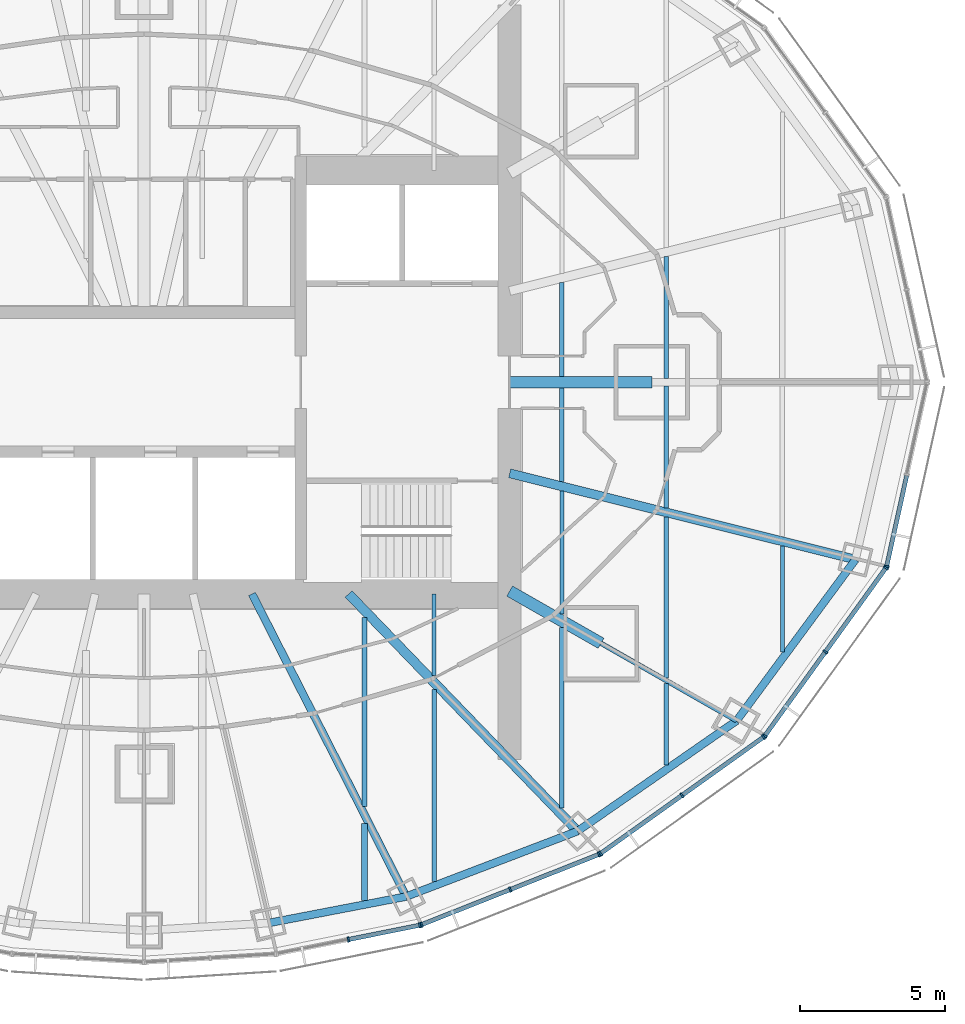
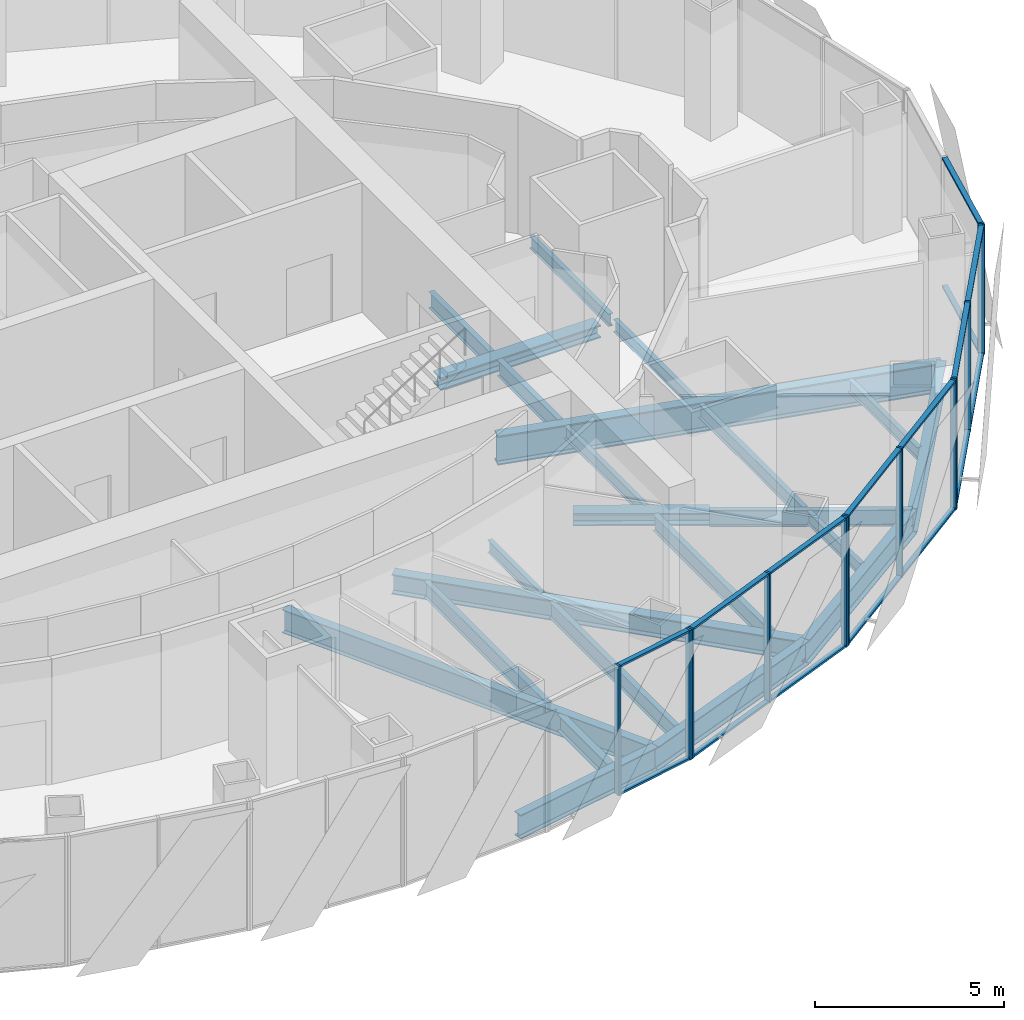
# One storey, part 6 of 17: 28 members, 23 beams, 5 elements without a shape of their own.
"""IFC4 building model written with IfcOpenShell, lengths in metres."""

from ifc_helpers import new_model, si_unit, direction, frame, origin, origin_2d, place, context, subcontext, project, spatial, rectangle, i_section, extrude, material, material_profile, profile_set, type_object, element, aggregate, save


model = new_model("IFC4")

# Units and contexts
model_context = context("Model", 3, precision=1e-05, world=origin(), true_north=direction((0.0, 1.0)))
body_context = subcontext(model_context, "Body", "Model", "MODEL_VIEW")
ifc_project = project(units=[si_unit("LENGTHUNIT", "METRE"), si_unit("AREAUNIT", "SQUARE_METRE"), si_unit("VOLUMEUNIT", "CUBIC_METRE"), si_unit("PLANEANGLEUNIT", "RADIAN"), si_unit("MASSUNIT", "GRAM", prefix="KILO")], contexts=[model_context])

# Site, building, storey
site_placement = place(None, origin())
site = spatial("IfcSite", under=ifc_project, at=site_placement, CompositionType="ELEMENT")
building_placement = place(site_placement, origin())
building = spatial("IfcBuilding", under=site, at=building_placement, Name="Lantaw Convention Tower", CompositionType="ELEMENT")
storey_placement = place(building_placement, frame((0.0, 0.0, 224.199951171875)))
storey = spatial("IfcBuildingStorey", under=building, at=storey_placement, Name="L52", CompositionType="ELEMENT", Elevation=224.199951171875)

# Beams
ifc_material_1 = material(Name="Steel ASTM A992", Category="steel")
ifc_material_profile_1 = material_profile(ifc_material_1, i_section(OverallWidth=0.2666015625, OverallDepth=0.76953125, WebThickness=0.015625, FlangeThickness=0.025390625, FilletRadius=0.0126953125, at=origin_2d()), Name="W30X132")
ifc_profile_set_1 = profile_set([ifc_material_profile_1], Name="Steel ASTM A992")
beam_type_1 = type_object("IfcBeamType", Name="Beam E W30X132", PredefinedType="SPANDREL", material=ifc_profile_set_1)
beam_1_placement = place(storey_placement, frame((4.303955078125, -18.64208984375, -0.53466796875), z_axis=(0.981972091702, 0.189025953556, 0.0), x_axis=(-0.189025953556, 0.981972091702, 0.0)))
element("IfcBeam", 1, at=beam_1_placement, inside=storey, type_object=beam_type_1, Name="Edge beam 20", PredefinedType="SPANDREL", context=body_context, shape_type="SweptSolid", body=[
    extrude(i_section(OverallWidth=0.2666015625, OverallDepth=0.76953125, WebThickness=0.015625, FlangeThickness=0.025390625, FilletRadius=0.0126953125, at=origin_2d()), origin(), (0.0, 0.0, 1.0), 4.817626953125),
])
beam_2_placement = place(storey_placement, frame((9.03466796875, -17.7314453125, -0.53466796875), z_axis=(0.934234988, 0.356658081637, 0.0), x_axis=(-0.356658081637, 0.934234988, 0.0)))
element("IfcBeam", 2, at=beam_2_placement, inside=storey, type_object=beam_type_1, Name="Edge beam 21", PredefinedType="SPANDREL", context=body_context, shape_type="SweptSolid", body=[
    extrude(i_section(OverallWidth=0.2666015625, OverallDepth=0.76953125, WebThickness=0.015625, FlangeThickness=0.025390625, FilletRadius=0.0126953125, at=origin_2d()), origin(), (0.0, 0.0, 1.0), 6.32568359375),
])
beam_3_placement = place(storey_placement, frame((14.9443359375, -15.475341796875, -0.53466796875), z_axis=(0.82135329406, 0.570419815869, 0.0), x_axis=(-0.570419815869, 0.82135329406, 0.0)))
element("IfcBeam", 3, at=beam_3_placement, inside=storey, type_object=beam_type_1, Name="Edge beam 22", PredefinedType="SPANDREL", context=body_context, shape_type="SweptSolid", body=[
    extrude(i_section(OverallWidth=0.2666015625, OverallDepth=0.76953125, WebThickness=0.015625, FlangeThickness=0.025390625, FilletRadius=0.0126953125, at=origin_2d()), origin(), (0.0, 0.0, 1.0), 6.67041015625),
])
beam_4_placement = place(storey_placement, frame((20.423095703125, -11.67041015625, -0.53466796875), z_axis=(0.593639188853, 0.804731329984, 0.0), x_axis=(-0.804731329984, 0.593639188853, 0.0)))
element("IfcBeam", 4, at=beam_4_placement, inside=storey, type_object=beam_type_1, Name="Edge beam 23", PredefinedType="SPANDREL", context=body_context, shape_type="SweptSolid", body=[
    extrude(i_section(OverallWidth=0.2666015625, OverallDepth=0.76953125, WebThickness=0.015625, FlangeThickness=0.025390625, FilletRadius=0.0126953125, at=origin_2d()), origin(), (0.0, 0.0, 1.0), 6.904541015625),
])
ifc_material_profile_2 = material_profile(ifc_material_1, i_section(OverallWidth=0.165771484375, OverallDepth=0.5283203125, WebThickness=0.009765625, FlangeThickness=0.013671875, FilletRadius=0.012939453125, at=origin_2d()), Name="W21X50")
ifc_profile_set_2 = profile_set([ifc_material_profile_2], Name="Steel ASTM A992")
beam_type_2 = type_object("IfcBeamType", Name="Beam G W21X50", PredefinedType="BEAM", material=ifc_profile_set_2)
beam_5_placement = place(storey_placement, frame((15.75, -9.0, -0.4140625), z_axis=(0.868237559289, -0.496148708192, 0.0), x_axis=(0.496148708192, 0.868237559289, 0.0)))
element("IfcBeam", 5, at=beam_5_placement, inside=storey, type_object=beam_type_2, Name="Floor girder on ray 23", PredefinedType="BEAM", context=body_context, shape_type="SweptSolid", body=[
    extrude(i_section(OverallWidth=0.165771484375, OverallDepth=0.5283203125, WebThickness=0.009765625, FlangeThickness=0.013671875, FilletRadius=0.012939453125, at=origin_2d()), origin(), (0.0, 0.0, 1.0), 5.38232421875),
])
ifc_material_profile_3 = material_profile(ifc_material_1, i_section(OverallWidth=0.32763671875, OverallDepth=0.64013671875, WebThickness=0.01904296875, FlangeThickness=0.033935546875, FilletRadius=0.0126953125, at=origin_2d()), Name="W24X176")
ifc_profile_set_3 = profile_set([ifc_material_profile_3], Name="Steel ASTM A992")
beam_type_3 = type_object("IfcBeamType", Name="Beam G W24X176", PredefinedType="BEAM", material=ifc_profile_set_3)
beam_6_placement = place(storey_placement, frame((7.049560546875, -7.300048828125, -0.469970703125), z_axis=(0.694657766726, -0.719340383356, 0.0), x_axis=(0.719340383356, 0.694657766726, 0.0)))
element("IfcBeam", 6, at=beam_6_placement, inside=storey, type_object=beam_type_3, Name="Floor girder on ray 22", PredefinedType="BEAM", context=body_context, shape_type="SweptSolid", body=[
    extrude(i_section(OverallWidth=0.32763671875, OverallDepth=0.64013671875, WebThickness=0.01904296875, FlangeThickness=0.033935546875, FilletRadius=0.0126953125, at=origin_2d()), origin(), (0.0, 0.0, 1.0), 11.364990234375),
])
ifc_material_profile_4 = material_profile(ifc_material_1, i_section(OverallWidth=0.2666015625, OverallDepth=0.7568359375, WebThickness=0.013916015625, FlangeThickness=0.019287109375, FilletRadius=0.0126953125, at=origin_2d()), Name="W30X108")
ifc_profile_set_4 = profile_set([ifc_material_profile_4], Name="Steel ASTM A992")
beam_type_4 = type_object("IfcBeamType", Name="Beam G W30X108", PredefinedType="BEAM", material=ifc_profile_set_4)
beam_7_placement = place(storey_placement, frame((3.719482421875, -7.300048828125, -0.5283203125), z_axis=(0.4539988787, -0.891002254845, 0.0), x_axis=(0.891002254845, 0.4539988787, 0.0)))
element("IfcBeam", 7, at=beam_7_placement, inside=storey, type_object=beam_type_4, Name="Floor girder on ray 21", PredefinedType="BEAM", context=body_context, shape_type="SweptSolid", body=[
    extrude(i_section(OverallWidth=0.2666015625, OverallDepth=0.7568359375, WebThickness=0.013916015625, FlangeThickness=0.019287109375, FilletRadius=0.0126953125, at=origin_2d()), origin(), (0.0, 0.0, 1.0), 11.70751953125),
])
ifc_material_profile_5 = material_profile(ifc_material_1, i_section(OverallWidth=0.307373046875, OverallDepth=0.9423828125, WebThickness=0.022216796875, FlangeThickness=0.039794921875, FilletRadius=0.0126953125, at=origin_2d()), Name="W36X232")
ifc_profile_set_5 = profile_set([ifc_material_profile_5], Name="Steel ASTM A992")
beam_type_5 = type_object("IfcBeamType", Name="Beam G W36X232", PredefinedType="BEAM", material=ifc_profile_set_5)
beam_8_placement = place(storey_placement, frame((12.60009765625, -3.1416015625, -0.62109375), z_axis=(0.970296589314, -0.241918434119, 0.0), x_axis=(0.241918434119, 0.970296589314, 0.0)))
element("IfcBeam", 8, at=beam_8_placement, inside=storey, type_object=beam_type_5, Name="Floor girder on ray 24", PredefinedType="BEAM", context=body_context, shape_type="SweptSolid", body=[
    extrude(i_section(OverallWidth=0.307373046875, OverallDepth=0.9423828125, WebThickness=0.022216796875, FlangeThickness=0.039794921875, FilletRadius=0.0126953125, at=origin_2d()), origin(), (0.0, 0.0, 1.0), 12.286865234375),
])
ifc_material_profile_6 = material_profile(ifc_material_1, i_section(OverallWidth=0.40380859375, OverallDepth=0.406494140625, WebThickness=0.027099609375, FlangeThickness=0.043701171875, FilletRadius=0.01513671875, at=origin_2d()), Name="W14X233")
ifc_profile_set_6 = profile_set([ifc_material_profile_6], Name="Steel ASTM A992")
beam_type_6 = type_object("IfcBeamType", Name="Beam GM W14X233", PredefinedType="BEAM", material=ifc_profile_set_6)
beam_9_placement = place(storey_placement, frame((12.60009765625, 0.0, -0.353271484375), z_axis=(1.0, 0.0, 0.0), x_axis=(0.0, 1.0, 0.0)))
element("IfcBeam", 9, at=beam_9_placement, inside=storey, type_object=beam_type_6, Name="Core link beam on ray 1", PredefinedType="BEAM", context=body_context, shape_type="SweptSolid", body=[
    extrude(i_section(OverallWidth=0.40380859375, OverallDepth=0.406494140625, WebThickness=0.027099609375, FlangeThickness=0.043701171875, FilletRadius=0.01513671875, at=origin_2d()), origin(), (0.0, 0.0, 1.0), 4.89990234375),
])
beam_10_placement = place(storey_placement, frame((12.60009765625, -7.199951171875, -0.353271484375), z_axis=(0.868230718294, -0.496160679428, 0.0), x_axis=(0.496160679428, 0.868230718294, 0.0)))
element("IfcBeam", 10, at=beam_10_placement, inside=storey, type_object=beam_type_6, Name="Core link beam on ray 23", PredefinedType="BEAM", context=body_context, shape_type="SweptSolid", body=[
    extrude(i_section(OverallWidth=0.40380859375, OverallDepth=0.406494140625, WebThickness=0.027099609375, FlangeThickness=0.043701171875, FilletRadius=0.01513671875, at=origin_2d()), origin(), (0.0, 0.0, 1.0), 3.6279296875),
])
ifc_material_profile_7 = material_profile(ifc_material_1, i_section(OverallWidth=0.140380859375, OverallDepth=0.40380859375, WebThickness=0.007080078125, FlangeThickness=0.01123046875, FilletRadius=0.01025390625, at=origin_2d()), Name="W16X31")
ifc_profile_set_7 = profile_set([ifc_material_profile_7], Name="Steel ASTM A992")
beam_type_7 = type_object("IfcBeamType", Name="Beam J W16X31", PredefinedType="JOIST", material=ifc_profile_set_7)
beam_11_placement = place(storey_placement, frame((10.0, -10.119384765625, -0.351806640625), z_axis=(0.0, 1.0, 0.0), x_axis=(-1.0, 0.0, 0.0)))
element("IfcBeam", 11, at=beam_11_placement, inside=storey, type_object=beam_type_7, Name="Floor joist", PredefinedType="JOIST", context=body_context, shape_type="SweptSolid", body=[
    extrude(i_section(OverallWidth=0.140380859375, OverallDepth=0.40380859375, WebThickness=0.007080078125, FlangeThickness=0.01123046875, FilletRadius=0.01025390625, at=origin_2d()), origin(), (0.0, 0.0, 1.0), 2.8193359375),
])
beam_12_placement = place(storey_placement, frame((14.39990234375, -7.99609375, -0.351806640625), z_axis=(0.0, 1.0, 0.0), x_axis=(-1.0, 0.0, 0.0)))
element("IfcBeam", 12, at=beam_12_placement, inside=storey, type_object=beam_type_7, Name="Floor joist", PredefinedType="JOIST", context=body_context, shape_type="SweptSolid", body=[
    extrude(i_section(OverallWidth=0.140380859375, OverallDepth=0.40380859375, WebThickness=0.007080078125, FlangeThickness=0.01123046875, FilletRadius=0.01025390625, at=origin_2d()), origin(), (0.0, 0.0, 1.0), 4.247314453125),
])
beam_13_placement = place(storey_placement, frame((18.0, -13.19091796875, -0.351806640625), z_axis=(0.0, 1.0, 0.0), x_axis=(-1.0, 0.0, 0.0)))
element("IfcBeam", 13, at=beam_13_placement, inside=storey, type_object=beam_type_7, Name="Floor joist", PredefinedType="JOIST", context=body_context, shape_type="SweptSolid", body=[
    extrude(i_section(OverallWidth=0.140380859375, OverallDepth=0.40380859375, WebThickness=0.007080078125, FlangeThickness=0.01123046875, FilletRadius=0.01025390625, at=origin_2d()), origin(), (0.0, 0.0, 1.0), 2.8095703125),
])
for number, where, z_axis, x_axis, name in (
    (14, (18.0, -4.32958984375, -0.351806640625), (0.0, 1.0, 0.0), (-1.0, 0.0, 0.0), "Floor joist"),
    (15, (18.0, 0.126953125, -0.351806640625), (0.0, 1.0, 0.0), (-1.0, 0.0, 0.0), "Floor joist"),
):
    element("IfcBeam", number, at=place(storey_placement, frame(where, z_axis=z_axis, x_axis=x_axis)), inside=storey, type_object=beam_type_7, Name=name, PredefinedType="JOIST", context=body_context, shape_type="SweptSolid", body=[
        extrude(i_section(OverallWidth=0.140380859375, OverallDepth=0.40380859375, WebThickness=0.007080078125, FlangeThickness=0.01123046875, FilletRadius=0.01025390625, at=origin_2d()), origin(), (0.0, 0.0, 1.0), 4.20263671875),
    ])
beam_14_placement = place(storey_placement, frame((22.0, -9.30810546875, -0.351806640625), z_axis=(0.0, 1.0, 0.0), x_axis=(-1.0, 0.0, 0.0)))
element("IfcBeam", 16, at=beam_14_placement, inside=storey, type_object=beam_type_7, Name="Floor joist", PredefinedType="JOIST", context=body_context, shape_type="SweptSolid", body=[
    extrude(i_section(OverallWidth=0.140380859375, OverallDepth=0.40380859375, WebThickness=0.007080078125, FlangeThickness=0.01123046875, FilletRadius=0.01025390625, at=origin_2d()), origin(), (0.0, 0.0, 1.0), 3.66455078125),
])
ifc_material_profile_8 = material_profile(ifc_material_1, i_section(OverallWidth=0.15234375, OverallDepth=0.449462890625, WebThickness=0.007568359375, FlangeThickness=0.0107421875, FilletRadius=0.01025390625, at=origin_2d()), Name="W18X35")
ifc_profile_set_8 = profile_set([ifc_material_profile_8], Name="Steel ASTM A992")
beam_type_8 = type_object("IfcBeamType", Name="Beam J W18X35", PredefinedType="JOIST", material=ifc_profile_set_8)
beam_15_placement = place(storey_placement, frame((18.0, -10.190185546875, -0.374755859375), z_axis=(0.0, 1.0, 0.0), x_axis=(-1.0, 0.0, 0.0)))
element("IfcBeam", 17, at=beam_15_placement, inside=storey, type_object=beam_type_8, Name="Floor joist", PredefinedType="JOIST", context=body_context, shape_type="SweptSolid", body=[
    extrude(i_section(OverallWidth=0.15234375, OverallDepth=0.449462890625, WebThickness=0.007568359375, FlangeThickness=0.0107421875, FilletRadius=0.01025390625, at=origin_2d()), origin(), (0.0, 0.0, 1.0), 5.5439453125),
])
ifc_material_profile_9 = material_profile(ifc_material_1, i_section(OverallWidth=0.1650390625, OverallDepth=0.52587890625, WebThickness=0.0087890625, FlangeThickness=0.011474609375, FilletRadius=0.0126953125, at=origin_2d()), Name="W21X44")
ifc_profile_set_9 = profile_set([ifc_material_profile_9], Name="Steel ASTM A992")
beam_type_9 = type_object("IfcBeamType", Name="Beam J W21X44", PredefinedType="JOIST", material=ifc_profile_set_9)
beam_16_placement = place(storey_placement, frame((7.60009765625, -14.6220703125, -0.412841796875), z_axis=(0.0, 1.0, 0.0), x_axis=(-1.0, 0.0, 0.0)))
element("IfcBeam", 18, at=beam_16_placement, inside=storey, type_object=beam_type_9, Name="Floor joist", PredefinedType="JOIST", context=body_context, shape_type="SweptSolid", body=[
    extrude(i_section(OverallWidth=0.1650390625, OverallDepth=0.52587890625, WebThickness=0.0087890625, FlangeThickness=0.011474609375, FilletRadius=0.0126953125, at=origin_2d()), origin(), (0.0, 0.0, 1.0), 6.51611328125),
])
beam_17_placement = place(storey_placement, frame((10.0, -17.22021484375, -0.412841796875), z_axis=(0.0, 1.0, 0.0), x_axis=(-1.0, 0.0, 0.0)))
element("IfcBeam", 19, at=beam_17_placement, inside=storey, type_object=beam_type_9, Name="Floor joist", PredefinedType="JOIST", context=body_context, shape_type="SweptSolid", body=[
    extrude(i_section(OverallWidth=0.1650390625, OverallDepth=0.52587890625, WebThickness=0.0087890625, FlangeThickness=0.011474609375, FilletRadius=0.0126953125, at=origin_2d()), origin(), (0.0, 0.0, 1.0), 6.629150390625),
])
beam_18_placement = place(storey_placement, frame((14.39990234375, -14.67578125, -0.412841796875), z_axis=(0.0, 1.0, 0.0), x_axis=(-1.0, 0.0, 0.0)))
element("IfcBeam", 20, at=beam_18_placement, inside=storey, type_object=beam_type_9, Name="Floor joist", PredefinedType="JOIST", context=body_context, shape_type="SweptSolid", body=[
    extrude(i_section(OverallWidth=0.1650390625, OverallDepth=0.52587890625, WebThickness=0.0087890625, FlangeThickness=0.011474609375, FilletRadius=0.0126953125, at=origin_2d()), origin(), (0.0, 0.0, 1.0), 6.214599609375),
])
for number, where, z_axis, x_axis, name in (
    (21, (14.39990234375, -3.431884765625, -0.412841796875), (0.0, 1.0, 0.0), (-1.0, 0.0, 0.0), "Floor joist"),
    (22, (14.39990234375, 0.201904296875, -0.412841796875), (0.0, 1.0, 0.0), (-1.0, 0.0, 0.0), "Floor joist"),
):
    element("IfcBeam", number, at=place(storey_placement, frame(where, z_axis=z_axis, x_axis=x_axis)), inside=storey, type_object=beam_type_9, Name=name, PredefinedType="JOIST", context=body_context, shape_type="SweptSolid", body=[
        extrude(i_section(OverallWidth=0.1650390625, OverallDepth=0.52587890625, WebThickness=0.0087890625, FlangeThickness=0.011474609375, FilletRadius=0.0126953125, at=origin_2d()), origin(), (0.0, 0.0, 1.0), 3.22998046875),
    ])
ifc_material_profile_10 = material_profile(ifc_material_1, i_section(OverallWidth=0.2099609375, OverallDepth=0.535888671875, WebThickness=0.010986328125, FlangeThickness=0.017333984375, FilletRadius=0.012939453125, at=origin_2d()), Name="W21X68")
ifc_profile_set_10 = profile_set([ifc_material_profile_10], Name="Steel ASTM A992")
beam_type_10 = type_object("IfcBeamType", Name="Beam J W21X68", PredefinedType="JOIST", material=ifc_profile_set_10)
beam_19_placement = place(storey_placement, frame((7.60009765625, -17.871826171875, -0.41796875), z_axis=(0.0, 1.0, 0.0), x_axis=(-1.0, 0.0, 0.0)))
element("IfcBeam", 23, at=beam_19_placement, inside=storey, type_object=beam_type_10, Name="Floor joist", PredefinedType="JOIST", context=body_context, shape_type="SweptSolid", body=[
    extrude(i_section(OverallWidth=0.2099609375, OverallDepth=0.535888671875, WebThickness=0.010986328125, FlangeThickness=0.017333984375, FilletRadius=0.012939453125, at=origin_2d()), origin(), (0.0, 0.0, 1.0), 2.662353515625),
])

# Curtain wall, members
ifc_material_2 = material(Name="Aluminium framed curtain wall", Category="aluminium")
curtain_wall_type = type_object("IfcCurtainWallType", Name="Office curtain wall high rise, pale aluminium", PredefinedType="USERDEFINED", material=ifc_material_2)
curtain_wall_1_placement = place(storey_placement, origin())
curtain_wall_1 = element("IfcCurtainWall", 24, at=curtain_wall_1_placement, inside=storey, type_object=curtain_wall_type, Name="Office curtain wall high rise, pale aluminium L52", ObjectType="UNITISED CURTAIN WALL", PredefinedType="USERDEFINED")
ifc_material_3 = material(Name="Aluminium 6063-T6", Category="aluminium")
ifc_material_profile_11 = material_profile(ifc_material_3, rectangle(XDim=0.179931640625, YDim=0.06494140625, at=origin_2d()), Name="CW-O2 mullion 65x180")
ifc_profile_set_11 = profile_set([ifc_material_profile_11], Name="Aluminium 6063-T6")
member_type_1 = type_object("IfcMemberType", Name="CW-O2 mullion 65x180", PredefinedType="MULLION", material=ifc_profile_set_11)
member_1_placement = place(storey_placement, frame((7.042724609375, -19.212646484375, -0.14990234375), z_axis=(0.0, 0.0, 1.0), x_axis=(-0.197183095987, 0.980366679695, 0.0)))
member_1 = element("IfcMember", 25, at=member_1_placement, type_object=member_type_1, Name="CW-O2 mullion 2", PredefinedType="MULLION", context=body_context, shape_type="SweptSolid", body=[
    extrude(rectangle(XDim=0.179931640625, YDim=0.06494140625, at=origin_2d()), origin(), (0.0, 0.0, 1.0), 4.199951171875),
])
member_2_placement = place(storey_placement, frame((9.502197265625, -18.718017578125, -0.14990234375), z_axis=(0.0, 0.0, 1.0), x_axis=(-0.197183095987, 0.980366679695, 0.0)))
member_2 = element("IfcMember", 26, at=member_2_placement, type_object=member_type_1, Name="CW-O2 mullion 3", PredefinedType="MULLION", context=body_context, shape_type="SweptSolid", body=[
    extrude(rectangle(XDim=0.179931640625, YDim=0.06494140625, at=origin_2d()), origin(), (0.0, 0.0, 1.0), 4.199951171875),
])

curtain_wall_2_placement = place(storey_placement, origin())
curtain_wall_2 = element("IfcCurtainWall", 27, at=curtain_wall_2_placement, inside=storey, type_object=curtain_wall_type, Name="Office curtain wall high rise, pale aluminium L52", ObjectType="UNITISED CURTAIN WALL", PredefinedType="USERDEFINED")
member_3_placement = place(storey_placement, frame((9.564208984375, -18.69970703125, -0.14990234375), z_axis=(0.0, 0.0, 1.0), x_axis=(-0.368162315252, 0.929761533743, 0.0)))
member_3 = element("IfcMember", 28, at=member_3_placement, type_object=member_type_1, Name="CW-O2 mullion 1", PredefinedType="MULLION", context=body_context, shape_type="SweptSolid", body=[
    extrude(rectangle(XDim=0.179931640625, YDim=0.06494140625, at=origin_2d()), origin(), (0.0, 0.0, 1.0), 4.199951171875),
])
member_4_placement = place(storey_placement, frame((12.621337890625, -17.4892578125, -0.14990234375), z_axis=(0.0, 0.0, 1.0), x_axis=(-0.368162315252, 0.929761533743, 0.0)))
member_4 = element("IfcMember", 29, at=member_4_placement, type_object=member_type_1, Name="CW-O2 mullion 2", PredefinedType="MULLION", context=body_context, shape_type="SweptSolid", body=[
    extrude(rectangle(XDim=0.179931640625, YDim=0.06494140625, at=origin_2d()), origin(), (0.0, 0.0, 1.0), 4.199951171875),
])
member_5_placement = place(storey_placement, frame((15.67822265625, -16.278564453125, -0.14990234375), z_axis=(0.0, 0.0, 1.0), x_axis=(-0.368162315252, 0.929761533743, 0.0)))
member_5 = element("IfcMember", 30, at=member_5_placement, type_object=member_type_1, Name="CW-O2 mullion 3", PredefinedType="MULLION", context=body_context, shape_type="SweptSolid", body=[
    extrude(rectangle(XDim=0.179931640625, YDim=0.06494140625, at=origin_2d()), origin(), (0.0, 0.0, 1.0), 4.199951171875),
])

curtain_wall_3_placement = place(storey_placement, origin())
curtain_wall_3 = element("IfcCurtainWall", 31, at=curtain_wall_3_placement, inside=storey, type_object=curtain_wall_type, Name="Office curtain wall high rise, pale aluminium L52", ObjectType="UNITISED CURTAIN WALL", PredefinedType="USERDEFINED")
member_6_placement = place(storey_placement, frame((15.73486328125, -16.247802734375, -0.14990234375), z_axis=(0.0, 0.0, 1.0), x_axis=(-0.581323487281, 0.813672540482, 0.0)))
member_6 = element("IfcMember", 32, at=member_6_placement, type_object=member_type_1, Name="CW-O2 mullion 1", PredefinedType="MULLION", context=body_context, shape_type="SweptSolid", body=[
    extrude(rectangle(XDim=0.179931640625, YDim=0.06494140625, at=origin_2d()), origin(), (0.0, 0.0, 1.0), 4.199951171875),
])
member_7_placement = place(storey_placement, frame((18.543212890625, -14.241455078125, -0.14990234375), z_axis=(0.0, 0.0, 1.0), x_axis=(-0.581323487281, 0.813672540482, 0.0)))
member_7 = element("IfcMember", 33, at=member_7_placement, type_object=member_type_1, Name="CW-O2 mullion 2", PredefinedType="MULLION", context=body_context, shape_type="SweptSolid", body=[
    extrude(rectangle(XDim=0.179931640625, YDim=0.06494140625, at=origin_2d()), origin(), (0.0, 0.0, 1.0), 4.199951171875),
])
member_8_placement = place(storey_placement, frame((21.3515625, -12.23486328125, -0.14990234375), z_axis=(0.0, 0.0, 1.0), x_axis=(-0.581323487281, 0.813672540482, 0.0)))
member_8 = element("IfcMember", 34, at=member_8_placement, type_object=member_type_1, Name="CW-O2 mullion 3", PredefinedType="MULLION", context=body_context, shape_type="SweptSolid", body=[
    extrude(rectangle(XDim=0.179931640625, YDim=0.06494140625, at=origin_2d()), origin(), (0.0, 0.0, 1.0), 4.199951171875),
])

curtain_wall_4_placement = place(storey_placement, origin())
curtain_wall_4 = element("IfcCurtainWall", 35, at=curtain_wall_4_placement, inside=storey, type_object=curtain_wall_type, Name="Office curtain wall high rise, pale aluminium L52", ObjectType="UNITISED CURTAIN WALL", PredefinedType="USERDEFINED")
member_9_placement = place(storey_placement, frame((21.397216796875, -12.189697265625, -0.14990234375), z_axis=(0.0, 0.0, 1.0), x_axis=(-0.810919559405, 0.585157643865, 0.0)))
member_9 = element("IfcMember", 36, at=member_9_placement, type_object=member_type_1, Name="CW-O2 mullion 1", PredefinedType="MULLION", context=body_context, shape_type="SweptSolid", body=[
    extrude(rectangle(XDim=0.179931640625, YDim=0.06494140625, at=origin_2d()), origin(), (0.0, 0.0, 1.0), 4.199951171875),
])
member_10_placement = place(storey_placement, frame((23.483642578125, -9.298095703125, -0.14990234375), z_axis=(0.0, 0.0, 1.0), x_axis=(-0.810919559405, 0.585157643865, 0.0)))
member_10 = element("IfcMember", 37, at=member_10_placement, type_object=member_type_1, Name="CW-O2 mullion 2", PredefinedType="MULLION", context=body_context, shape_type="SweptSolid", body=[
    extrude(rectangle(XDim=0.179931640625, YDim=0.06494140625, at=origin_2d()), origin(), (0.0, 0.0, 1.0), 4.199951171875),
])
member_11_placement = place(storey_placement, frame((25.5703125, -6.406494140625, -0.14990234375), z_axis=(0.0, 0.0, 1.0), x_axis=(-0.810919559405, 0.585157643865, 0.0)))
member_11 = element("IfcMember", 38, at=member_11_placement, type_object=member_type_1, Name="CW-O2 mullion 3", PredefinedType="MULLION", context=body_context, shape_type="SweptSolid", body=[
    extrude(rectangle(XDim=0.179931640625, YDim=0.06494140625, at=origin_2d()), origin(), (0.0, 0.0, 1.0), 4.199951171875),
])

# Curtain wall, member
curtain_wall_5_placement = place(storey_placement, origin())
curtain_wall_5 = element("IfcCurtainWall", 39, at=curtain_wall_5_placement, inside=storey, type_object=curtain_wall_type, Name="Office curtain wall high rise, pale aluminium L52", ObjectType="UNITISED CURTAIN WALL", PredefinedType="USERDEFINED")
member_12_placement = place(storey_placement, frame((25.596435546875, -6.348388671875, -0.14990234375), z_axis=(0.0, 0.0, 1.0), x_axis=(-0.976417396437, 0.215891333626, 0.0)))
member_12 = element("IfcMember", 40, at=member_12_placement, type_object=member_type_1, Name="CW-O2 mullion 1", PredefinedType="MULLION", context=body_context, shape_type="SweptSolid", body=[
    extrude(rectangle(XDim=0.179931640625, YDim=0.06494140625, at=origin_2d()), origin(), (0.0, 0.0, 1.0), 4.199951171875),
])

# Member
ifc_material_profile_12 = material_profile(ifc_material_3, rectangle(XDim=0.14990234375, YDim=0.06494140625, at=origin_2d()), Name="CW-O2 transom 65x150")
ifc_profile_set_12 = profile_set([ifc_material_profile_12], Name="Aluminium 6063-T6")
member_type_2 = type_object("IfcMemberType", Name="CW-O2 transom 65x150", PredefinedType="USERDEFINED", material=ifc_profile_set_12)
member_13_placement = place(storey_placement, frame((7.074462890625, -19.206298828125, -0.117431640625), z_axis=(0.98036104319, 0.197211117829, 0.0), x_axis=(-0.197211117829, 0.98036104319, 0.0)))
member_13 = element("IfcMember", 41, at=member_13_placement, type_object=member_type_2, Name="CW-O2 transom 2.1", ObjectType="TRANSOM", PredefinedType="USERDEFINED", context=body_context, shape_type="SweptSolid", body=[
    extrude(rectangle(XDim=0.14990234375, YDim=0.06494140625, at=origin_2d()), origin(), (0.0, 0.0, 1.0), 2.44384765625),
])

member_14_placement = place(storey_placement, frame((7.074462890625, -19.206298828125, 4.017578125), z_axis=(0.98036104319, 0.197211117829, 0.0), x_axis=(-0.197211117829, 0.98036104319, 0.0)))
member_14 = element("IfcMember", 42, at=member_14_placement, type_object=member_type_2, Name="CW-O2 transom 2.2", ObjectType="TRANSOM", PredefinedType="USERDEFINED", context=body_context, shape_type="SweptSolid", body=[
    extrude(rectangle(XDim=0.14990234375, YDim=0.06494140625, at=origin_2d()), origin(), (0.0, 0.0, 1.0), 2.44384765625),
])

aggregate(curtain_wall_1, [member_1, member_2, member_13, member_14])

member_15_placement = place(storey_placement, frame((9.594482421875, -18.687744140625, -0.117431640625), z_axis=(0.929766642946, 0.368149412149, 0.0), x_axis=(-0.368149412149, 0.929766642946, 0.0)))
member_15 = element("IfcMember", 43, at=member_15_placement, type_object=member_type_2, Name="CW-O2 transom 1.1", ObjectType="TRANSOM", PredefinedType="USERDEFINED", context=body_context, shape_type="SweptSolid", body=[
    extrude(rectangle(XDim=0.14990234375, YDim=0.06494140625, at=origin_2d()), origin(), (0.0, 0.0, 1.0), 3.222900390625),
])

member_16_placement = place(storey_placement, frame((9.594482421875, -18.687744140625, 4.017578125), z_axis=(0.929766642946, 0.368149412149, 0.0), x_axis=(-0.368149412149, 0.929766642946, 0.0)))
member_16 = element("IfcMember", 44, at=member_16_placement, type_object=member_type_2, Name="CW-O2 transom 1.2", ObjectType="TRANSOM", PredefinedType="USERDEFINED", context=body_context, shape_type="SweptSolid", body=[
    extrude(rectangle(XDim=0.14990234375, YDim=0.06494140625, at=origin_2d()), origin(), (0.0, 0.0, 1.0), 3.222900390625),
])

member_17_placement = place(storey_placement, frame((12.651611328125, -17.477294921875, -0.117431640625), z_axis=(0.929740712354, 0.368214893495, 0.0), x_axis=(-0.368214893495, 0.929740712354, 0.0)))
member_17 = element("IfcMember", 45, at=member_17_placement, type_object=member_type_2, Name="CW-O2 transom 2.1", ObjectType="TRANSOM", PredefinedType="USERDEFINED", context=body_context, shape_type="SweptSolid", body=[
    extrude(rectangle(XDim=0.14990234375, YDim=0.06494140625, at=origin_2d()), origin(), (0.0, 0.0, 1.0), 3.22314453125),
])

member_18_placement = place(storey_placement, frame((12.651611328125, -17.477294921875, 4.017578125), z_axis=(0.929740712354, 0.368214893495, 0.0), x_axis=(-0.368214893495, 0.929740712354, 0.0)))
member_18 = element("IfcMember", 46, at=member_18_placement, type_object=member_type_2, Name="CW-O2 transom 2.2", ObjectType="TRANSOM", PredefinedType="USERDEFINED", context=body_context, shape_type="SweptSolid", body=[
    extrude(rectangle(XDim=0.14990234375, YDim=0.06494140625, at=origin_2d()), origin(), (0.0, 0.0, 1.0), 3.22314453125),
])

aggregate(curtain_wall_2, [member_3, member_4, member_5, member_15, member_16, member_17, member_18])

member_19_placement = place(storey_placement, frame((15.761474609375, -16.22900390625, -0.117431640625), z_axis=(0.813645780821, 0.581360940683, 0.0), x_axis=(-0.581360940683, 0.813645780821, 0.0)))
member_19 = element("IfcMember", 47, at=member_19_placement, type_object=member_type_2, Name="CW-O2 transom 1.1", ObjectType="TRANSOM", PredefinedType="USERDEFINED", context=body_context, shape_type="SweptSolid", body=[
    extrude(rectangle(XDim=0.14990234375, YDim=0.06494140625, at=origin_2d()), origin(), (0.0, 0.0, 1.0), 3.386474609375),
])

member_20_placement = place(storey_placement, frame((15.761474609375, -16.22900390625, 4.017578125), z_axis=(0.813645780821, 0.581360940683, 0.0), x_axis=(-0.581360940683, 0.813645780821, 0.0)))
member_20 = element("IfcMember", 48, at=member_20_placement, type_object=member_type_2, Name="CW-O2 transom 1.2", ObjectType="TRANSOM", PredefinedType="USERDEFINED", context=body_context, shape_type="SweptSolid", body=[
    extrude(rectangle(XDim=0.14990234375, YDim=0.06494140625, at=origin_2d()), origin(), (0.0, 0.0, 1.0), 3.386474609375),
])

member_21_placement = place(storey_placement, frame((18.56982421875, -14.222412109375, -0.117431640625), z_axis=(0.813679882592, 0.581313210468, 0.0), x_axis=(-0.581313210468, 0.813679882592, 0.0)))
member_21 = element("IfcMember", 49, at=member_21_placement, type_object=member_type_2, Name="CW-O2 transom 2.1", ObjectType="TRANSOM", PredefinedType="USERDEFINED", context=body_context, shape_type="SweptSolid", body=[
    extrude(rectangle(XDim=0.14990234375, YDim=0.06494140625, at=origin_2d()), origin(), (0.0, 0.0, 1.0), 3.38623046875),
])

member_22_placement = place(storey_placement, frame((18.56982421875, -14.222412109375, 4.017578125), z_axis=(0.813679882592, 0.581313210468, 0.0), x_axis=(-0.581313210468, 0.813679882592, 0.0)))
member_22 = element("IfcMember", 50, at=member_22_placement, type_object=member_type_2, Name="CW-O2 transom 2.2", ObjectType="TRANSOM", PredefinedType="USERDEFINED", context=body_context, shape_type="SweptSolid", body=[
    extrude(rectangle(XDim=0.14990234375, YDim=0.06494140625, at=origin_2d()), origin(), (0.0, 0.0, 1.0), 3.38623046875),
])

aggregate(curtain_wall_3, [member_6, member_7, member_8, member_19, member_20, member_21, member_22])

member_23_placement = place(storey_placement, frame((21.416259765625, -12.163330078125, -0.117431640625), z_axis=(0.585123825205, 0.810943961798, 0.0), x_axis=(-0.810943961798, 0.585123825205, 0.0)))
member_23 = element("IfcMember", 51, at=member_23_placement, type_object=member_type_2, Name="CW-O2 transom 1.1", ObjectType="TRANSOM", PredefinedType="USERDEFINED", context=body_context, shape_type="SweptSolid", body=[
    extrude(rectangle(XDim=0.14990234375, YDim=0.06494140625, at=origin_2d()), origin(), (0.0, 0.0, 1.0), 3.500732421875),
])

member_24_placement = place(storey_placement, frame((21.416259765625, -12.163330078125, 4.017578125), z_axis=(0.585123825205, 0.810943961798, 0.0), x_axis=(-0.810943961798, 0.585123825205, 0.0)))
member_24 = element("IfcMember", 52, at=member_24_placement, type_object=member_type_2, Name="CW-O2 transom 1.2", ObjectType="TRANSOM", PredefinedType="USERDEFINED", context=body_context, shape_type="SweptSolid", body=[
    extrude(rectangle(XDim=0.14990234375, YDim=0.06494140625, at=origin_2d()), origin(), (0.0, 0.0, 1.0), 3.500732421875),
])

member_25_placement = place(storey_placement, frame((23.502685546875, -9.271728515625, -0.117431640625), z_axis=(0.585169685931, 0.810910869743, 0.0), x_axis=(-0.810910869743, 0.585169685931, 0.0)))
member_25 = element("IfcMember", 53, at=member_25_placement, type_object=member_type_2, Name="CW-O2 transom 2.1", ObjectType="TRANSOM", PredefinedType="USERDEFINED", context=body_context, shape_type="SweptSolid", body=[
    extrude(rectangle(XDim=0.14990234375, YDim=0.06494140625, at=origin_2d()), origin(), (0.0, 0.0, 1.0), 3.500732421875),
])

member_26_placement = place(storey_placement, frame((23.502685546875, -9.271728515625, 4.017578125), z_axis=(0.585169685931, 0.810910869743, 0.0), x_axis=(-0.810910869743, 0.585169685931, 0.0)))
member_26 = element("IfcMember", 54, at=member_26_placement, type_object=member_type_2, Name="CW-O2 transom 2.2", ObjectType="TRANSOM", PredefinedType="USERDEFINED", context=body_context, shape_type="SweptSolid", body=[
    extrude(rectangle(XDim=0.14990234375, YDim=0.06494140625, at=origin_2d()), origin(), (0.0, 0.0, 1.0), 3.500732421875),
])

aggregate(curtain_wall_4, [member_9, member_10, member_11, member_23, member_24, member_25, member_26])

member_27_placement = place(storey_placement, frame((25.603271484375, -6.316650390625, -0.117431640625), z_axis=(0.215894607042, 0.976416672661, 0.0), x_axis=(-0.976416672661, 0.215894607042, 0.0)))
member_27 = element("IfcMember", 55, at=member_27_placement, type_object=member_type_2, Name="CW-O2 transom 1.1", ObjectType="TRANSOM", PredefinedType="USERDEFINED", context=body_context, shape_type="SweptSolid", body=[
    extrude(rectangle(XDim=0.14990234375, YDim=0.06494140625, at=origin_2d()), origin(), (0.0, 0.0, 1.0), 3.169677734375),
])

member_28_placement = place(storey_placement, frame((25.603271484375, -6.316650390625, 4.017578125), z_axis=(0.215894607042, 0.976416672661, 0.0), x_axis=(-0.976416672661, 0.215894607042, 0.0)))
member_28 = element("IfcMember", 56, at=member_28_placement, type_object=member_type_2, Name="CW-O2 transom 1.2", ObjectType="TRANSOM", PredefinedType="USERDEFINED", context=body_context, shape_type="SweptSolid", body=[
    extrude(rectangle(XDim=0.14990234375, YDim=0.06494140625, at=origin_2d()), origin(), (0.0, 0.0, 1.0), 3.169677734375),
])

aggregate(curtain_wall_5, [member_12, member_27, member_28])

save(model, "model.ifc")
